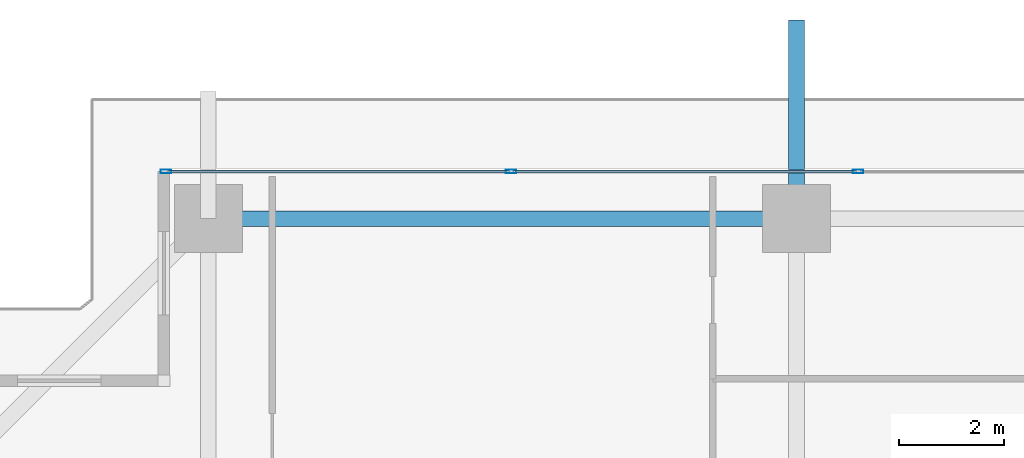
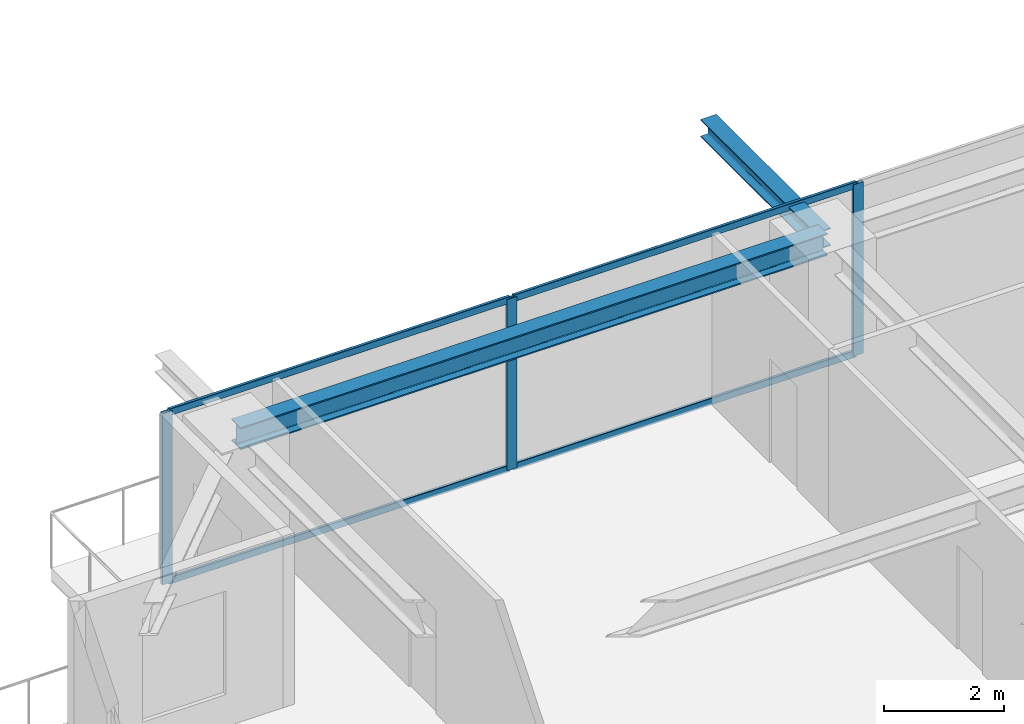
# One storey, part 20 of 36: 7 members, 2 beams, 1 element without a shape of its own.
"""IFC4 building model written with IfcOpenShell, lengths in metres."""

from ifc_helpers import new_model, si_unit, direction, frame, origin, origin_2d, place, context, subcontext, project, spatial, hollow_rectangle, i_section, extrude, source, transform, mapped, material, layer, layer_set, material_profile, profile_set, type_object, element, aggregate, save


model = new_model("IFC4")

# Units and contexts
model_context = context("Model", 3, precision=1e-05, world=origin(), true_north=direction((0.0, 1.0)))
body_context = subcontext(model_context, "Body", "Model", "MODEL_VIEW")
ifc_project = project(units=[si_unit("LENGTHUNIT", "METRE"), si_unit("AREAUNIT", "SQUARE_METRE"), si_unit("VOLUMEUNIT", "CUBIC_METRE"), si_unit("PLANEANGLEUNIT", "RADIAN"), si_unit("MASSUNIT", "GRAM", prefix="KILO")], contexts=[model_context])

# Site, building, storey
site_placement = place(None, origin())
site = spatial("IfcSite", under=ifc_project, at=site_placement, CompositionType="ELEMENT")
building_placement = place(site_placement, origin())
building = spatial("IfcBuilding", under=site, at=building_placement, Name="Serunith Strait Residences", CompositionType="ELEMENT")
storey_placement = place(building_placement, frame((0.0, 0.0, 131.39990234375)))
storey = spatial("IfcBuildingStorey", under=building, at=storey_placement, Name="L32", CompositionType="ELEMENT", Elevation=131.39990234375)

# Beams
ifc_material_1 = material(Name="Steel S355J2", Category="steel")
ifc_material_profile_1 = material_profile(ifc_material_1, i_section(OverallWidth=0.300048828125, OverallDepth=0.449951171875, WebThickness=0.013916015625, FlangeThickness=0.02587890625, FilletRadius=0.027099609375, at=origin_2d()), Name="HEB 450")
ifc_profile_set_1 = profile_set([ifc_material_profile_1], Name="Steel S355J2")
beam_type_1 = type_object("IfcBeamType", Name="BM-HEB450", PredefinedType="BEAM", material=ifc_profile_set_1)
shared_shape_1 = source(origin(), body_context, "Body", "SweptSolid", [
    extrude(i_section(OverallWidth=0.300048828125, OverallDepth=0.449951171875, WebThickness=0.013916015625, FlangeThickness=0.02587890625, FilletRadius=0.027099609375, at=origin_2d()), origin(), (0.0, 0.0, 1.0), 11.25),
])
beam_1_placement = place(storey_placement, frame((27.89990234375, 48.10009765625, 3.26220703125), z_axis=(-1.0, 0.0, 0.0), x_axis=(0.0, -1.0, 0.0)))
element("IfcBeam", 1, at=beam_1_placement, inside=storey, type_object=beam_type_1, Name="L32 Perimeter Ring Beam 11", PredefinedType="BEAM", context=body_context, shape_type="MappedRepresentation", body=[
    mapped(shared_shape_1, transform((0.0, 0.0, 0.0), scale=1.0)),
])
ifc_material_profile_2 = material_profile(ifc_material_1, i_section(OverallWidth=0.300048828125, OverallDepth=0.360107421875, WebThickness=0.012451171875, FlangeThickness=0.0224609375, FilletRadius=0.027099609375, at=origin_2d()), Name="HEB 360")
ifc_profile_set_2 = profile_set([ifc_material_profile_2], Name="Steel S355J2")
beam_type_2 = type_object("IfcBeamType", Name="BM-HEB360", PredefinedType="BEAM", material=ifc_profile_set_2)
shared_shape_2 = source(origin(), body_context, "Body", "SweptSolid", [
    extrude(i_section(OverallWidth=0.300048828125, OverallDepth=0.360107421875, WebThickness=0.012451171875, FlangeThickness=0.0224609375, FilletRadius=0.027099609375, at=origin_2d()), origin(), (0.0, 0.0, 1.0), 3.7998046875),
])
beam_2_placement = place(storey_placement, frame((27.89990234375, 48.10009765625, 3.277099609375), z_axis=(0.0, 1.0, 0.0), x_axis=(-1.0, 0.0, 0.0)))
element("IfcBeam", 2, at=beam_2_placement, inside=storey, type_object=beam_type_2, Name="L33 Cantilevered Balcony Rib TC-N2", PredefinedType="BEAM", context=body_context, shape_type="MappedRepresentation", body=[
    mapped(shared_shape_2, transform((0.0, 0.0, 0.0), scale=1.0)),
])

# Curtain wall, members
ifc_material_2 = material(Name="Pale-Champagne Anodised Aluminium", Category="aluminium")
ifc_layer = layer(ifc_material_2, 0.199951171875, Name="Pale-Champagne Anodised Aluminium")
ifc_layer_set = layer_set([ifc_layer], Name="Pale-Champagne Anodised Aluminium")
curtain_wall_type = type_object("IfcCurtainWallType", Name="CW-SYS2", PredefinedType="NOTDEFINED", material=ifc_layer_set)
curtain_wall_placement = place(storey_placement, origin())
curtain_wall = element("IfcCurtainWall", 3, at=curtain_wall_placement, inside=storey, type_object=curtain_wall_type, Name="L32 N Unitised Fritted Curtain Wall", PredefinedType="NOTDEFINED")
ifc_material_profile_3 = material_profile(ifc_material_2, hollow_rectangle(XDim=0.070068359375, YDim=0.199951171875, WallThickness=0.00390625, InnerFilletRadius=0.006103515625, OuterFilletRadius=0.010009765625, at=origin_2d()), Name="ALU 200x70x4")
ifc_profile_set_3 = profile_set([ifc_material_profile_3], Name="Pale-Champagne Anodised Aluminium")
member_type_1 = type_object("IfcMemberType", Name="CW-SYS2-MULL", PredefinedType="MULLION", material=ifc_profile_set_3)
shared_shape_3 = source(origin(), body_context, "Body", "SweptSolid", [
    extrude(hollow_rectangle(XDim=0.070068359375, YDim=0.199951171875, WallThickness=0.00390625, InnerFilletRadius=0.006103515625, OuterFilletRadius=0.010009765625, at=origin_2d()), origin(), (0.0, 0.0, 1.0), 3.47509765625),
])
member_1_placement = place(storey_placement, frame((29.080078125, 49.0, 0.0), z_axis=(0.0, 0.0, 1.0), x_axis=(0.0, -1.0, 0.0)))
member_1 = element("IfcMember", 4, at=member_1_placement, type_object=member_type_1, Name="CW-2 mullion 4", PredefinedType="MULLION", context=body_context, shape_type="MappedRepresentation", body=[
    mapped(shared_shape_3, transform((0.0, 0.0, 0.0), scale=1.0)),
])
member_2_placement = place(storey_placement, frame((22.43994140625, 49.0, 0.0), z_axis=(0.0, 0.0, 1.0), x_axis=(0.0, -1.0, 0.0)))
member_2 = element("IfcMember", 5, at=member_2_placement, type_object=member_type_1, Name="CW-2 mullion 5", PredefinedType="MULLION", context=body_context, shape_type="MappedRepresentation", body=[
    mapped(shared_shape_3, transform((0.0, 0.0, 0.0), scale=1.0)),
])
member_3_placement = place(storey_placement, frame((15.8349609375, 49.0, 0.0), z_axis=(0.0, 0.0, 1.0), x_axis=(0.0, -1.0, 0.0)))
member_3 = element("IfcMember", 6, at=member_3_placement, type_object=member_type_1, Name="CW-2 mullion 6", PredefinedType="MULLION", context=body_context, shape_type="MappedRepresentation", body=[
    mapped(shared_shape_3, transform((0.0, 0.0, 0.0), scale=1.0)),
])
ifc_material_profile_4 = material_profile(ifc_material_2, hollow_rectangle(XDim=0.06005859375, YDim=0.139892578125, WallThickness=0.00341796875, InnerFilletRadius=0.00537109375, OuterFilletRadius=0.0087890625, at=origin_2d()), Name="ALU 140x60x3.5")
ifc_profile_set_4 = profile_set([ifc_material_profile_4], Name="Pale-Champagne Anodised Aluminium")
member_type_2 = type_object("IfcMemberType", Name="CW-SYS2-TRAN", PredefinedType="USERDEFINED", material=ifc_profile_set_4)
shared_shape_4 = source(origin(), body_context, "Body", "SweptSolid", [
    extrude(hollow_rectangle(XDim=0.06005859375, YDim=0.139892578125, WallThickness=0.00341796875, InnerFilletRadius=0.00537109375, OuterFilletRadius=0.0087890625, at=origin_2d()), origin(), (0.0, 0.0, 1.0), 6.534912109375),
])
member_4_placement = place(storey_placement, frame((22.405029296875, 49.0, 0.030029296875), z_axis=(-1.0, 0.0, 0.0), x_axis=(0.0, -1.0, 0.0)))
member_4 = element("IfcMember", 7, at=member_4_placement, type_object=member_type_2, Name="CW-2 transom 5.1", ObjectType="TRANSOM", PredefinedType="USERDEFINED", context=body_context, shape_type="MappedRepresentation", body=[
    mapped(shared_shape_4, transform((0.0, 0.0, 0.0), scale=1.0)),
])
member_5_placement = place(storey_placement, frame((22.405029296875, 49.0, 3.445068359375), z_axis=(-1.0, 0.0, 0.0), x_axis=(0.0, -1.0, 0.0)))
member_5 = element("IfcMember", 8, at=member_5_placement, type_object=member_type_2, Name="CW-2 transom 5.2", ObjectType="TRANSOM", PredefinedType="USERDEFINED", context=body_context, shape_type="MappedRepresentation", body=[
    mapped(shared_shape_4, transform((0.0, 0.0, 0.0), scale=1.0)),
])
shared_shape_5 = source(origin(), body_context, "Body", "SweptSolid", [
    extrude(hollow_rectangle(XDim=0.06005859375, YDim=0.139892578125, WallThickness=0.00341796875, InnerFilletRadius=0.00537109375, OuterFilletRadius=0.0087890625, at=origin_2d()), origin(), (0.0, 0.0, 1.0), 6.56982421875),
])
member_6_placement = place(storey_placement, frame((29.044921875, 49.0, 0.030029296875), z_axis=(-1.0, 0.0, 0.0), x_axis=(0.0, -1.0, 0.0)))
member_6 = element("IfcMember", 9, at=member_6_placement, type_object=member_type_2, Name="CW-2 transom 4.1", ObjectType="TRANSOM", PredefinedType="USERDEFINED", context=body_context, shape_type="MappedRepresentation", body=[
    mapped(shared_shape_5, transform((0.0, 0.0, 0.0), scale=1.0)),
])
member_7_placement = place(storey_placement, frame((29.044921875, 49.0, 3.445068359375), z_axis=(-1.0, 0.0, 0.0), x_axis=(0.0, -1.0, 0.0)))
member_7 = element("IfcMember", 10, at=member_7_placement, type_object=member_type_2, Name="CW-2 transom 4.2", ObjectType="TRANSOM", PredefinedType="USERDEFINED", context=body_context, shape_type="MappedRepresentation", body=[
    mapped(shared_shape_5, transform((0.0, 0.0, 0.0), scale=1.0)),
])
aggregate(curtain_wall, [member_1, member_2, member_3, member_6, member_7, member_4, member_5])

save(model, "model.ifc")
